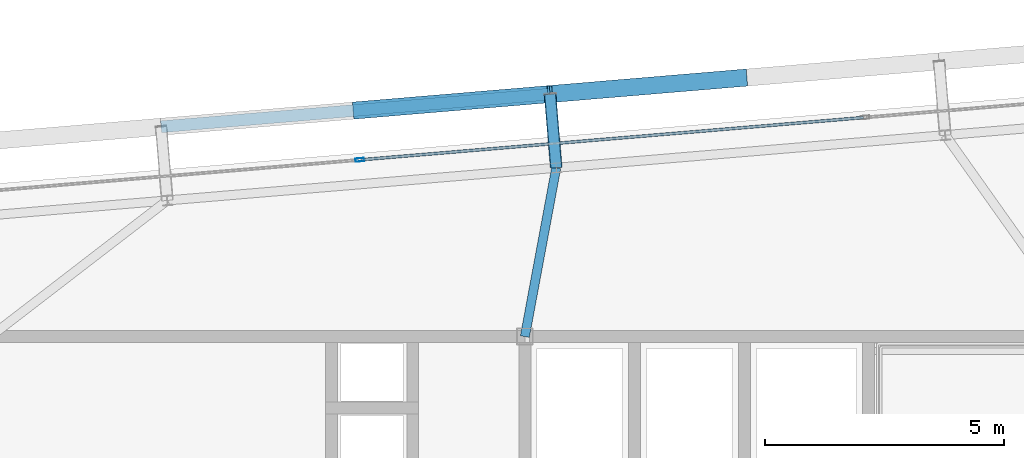
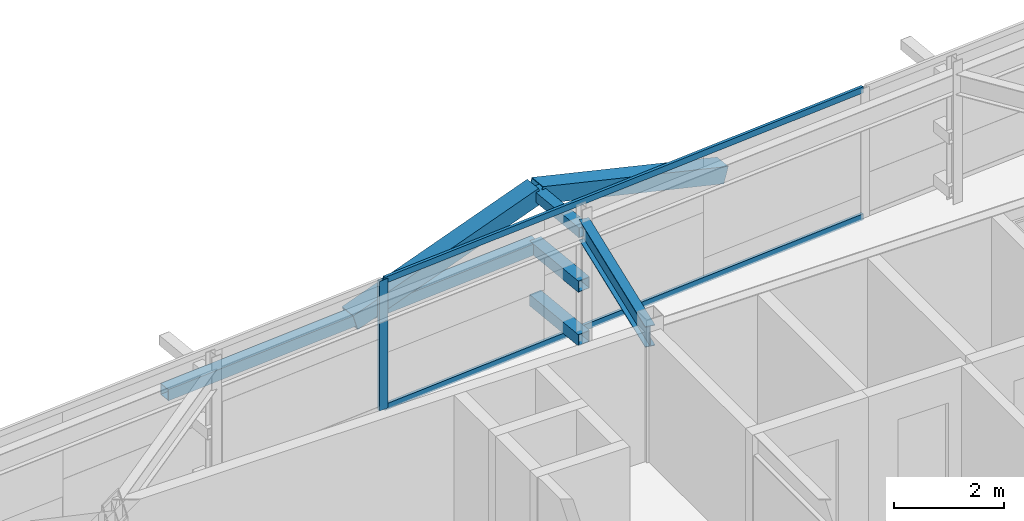
# One storey, part 23 of 39: 9 members, 1 beam, 1 element without a shape of its own.
"""IFC4 building model written with IfcOpenShell, lengths in metres."""

from ifc_helpers import new_model, si_unit, direction, frame, origin, origin_2d, place, context, subcontext, project, spatial, hollow_rectangle, i_section, extrude, source, transform, mapped, material, layer, layer_set, material_profile, profile_set, type_object, element, aggregate, save


model = new_model("IFC4")

# Units and contexts
model_context = context("Model", 3, precision=1e-05, world=origin(), true_north=direction((0.0, 1.0)))
body_context = subcontext(model_context, "Body", "Model", "MODEL_VIEW")
ifc_project = project(units=[si_unit("LENGTHUNIT", "METRE"), si_unit("AREAUNIT", "SQUARE_METRE"), si_unit("VOLUMEUNIT", "CUBIC_METRE"), si_unit("PLANEANGLEUNIT", "RADIAN"), si_unit("MASSUNIT", "GRAM", prefix="KILO")], contexts=[model_context])

# Site, building, storey
site_placement = place(None, origin())
site = spatial("IfcSite", under=ifc_project, at=site_placement, CompositionType="ELEMENT")
building_placement = place(site_placement, origin())
building = spatial("IfcBuilding", under=site, at=building_placement, Name="Taldren Reach Tower", CompositionType="ELEMENT")
storey_placement = place(building_placement, frame((0.0, 0.0, 204.050048828125)))
storey = spatial("IfcBuildingStorey", under=building, at=storey_placement, Name="L62", CompositionType="ELEMENT", Elevation=204.050048828125)

# Members
ifc_material_1 = material(Name="Steel Gr 350 (C350L0)", Category="steel")
ifc_material_profile_1 = material_profile(ifc_material_1, hollow_rectangle(XDim=0.25, YDim=0.25, WallThickness=0.010009765625, at=origin_2d()), Name="250x250x10.0SHS")
ifc_profile_set_1 = profile_set([ifc_material_profile_1], Name="Steel Gr 350 (C350L0)")
member_type_1 = type_object("IfcMemberType", Name="MB-POST250", PredefinedType="POST", material=ifc_profile_set_1)
shared_shape_1 = source(origin(), body_context, "Body", "SweptSolid", [
    extrude(hollow_rectangle(XDim=0.25, YDim=0.25, WallThickness=0.010009765625, at=origin_2d()), origin(), (0.0, 0.0, 1.0), 1.5498046875),
])
for number, where, z_axis, x_axis, name in (
    (1, (39.857666015625, 35.537109375, 0.219970703125), (-0.083645141657, 0.996495604746, 0.0), (-0.996495604746, -0.083645141657, 0.0), "Exoskeleton base diaphragm tie strut B4-N4 L62"),
    (2, (39.857666015625, 35.537109375, 1.405029296875), (-0.083645141657, 0.996495604746, 0.0), (-0.996495604746, -0.083645141657, 0.0), "Exoskeleton mid-tier diaphragm tie B4-N4 L62"),
):
    element("IfcMember", number, at=place(storey_placement, frame(where, z_axis=z_axis, x_axis=x_axis)), inside=storey, type_object=member_type_1, Name=name, PredefinedType="POST", context=body_context, shape_type="MappedRepresentation", body=[
        mapped(shared_shape_1, transform((0.0, 0.0, 0.0), scale=1.0)),
    ])

# Beam
ifc_material_2 = material(Name="Steel Gr 350 (350PLUS)", Category="steel")
ifc_material_profile_2 = material_profile(ifc_material_2, i_section(OverallWidth=0.19091796875, OverallDepth=0.4599609375, WebThickness=0.010009765625, FlangeThickness=0.01611328125, at=origin_2d()), Name="460UB82.1")
ifc_profile_set_2 = profile_set([ifc_material_profile_2], Name="Steel Gr 350 (350PLUS)")
beam_type = type_object("IfcBeamType", Name="BM-UB460A", PredefinedType="BEAM", material=ifc_profile_set_2)
shared_shape_2 = source(origin(), body_context, "Body", "SweptSolid", [
    extrude(i_section(OverallWidth=0.19091796875, OverallDepth=0.4599609375, WebThickness=0.010009765625, FlangeThickness=0.01611328125, at=origin_2d()), origin(), (0.0, 0.0, 1.0), 3.59765625),
])
beam_placement = place(storey_placement, frame((39.199951171875, 32.0, 2.639892578125), z_axis=(0.182813344882, 0.983147639438, 0.0), x_axis=(-0.983147639438, 0.182813344882, 0.0)))
element("IfcBeam", 3, at=beam_placement, inside=storey, type_object=beam_type, Name="Primary floor girder B4-N4 L62", PredefinedType="BEAM", context=body_context, shape_type="MappedRepresentation", body=[
    mapped(shared_shape_2, transform((0.0, 0.0, 0.0), scale=1.0)),
])

# Members
ifc_material_3 = material(Name="Steel Gr 450 (C450L0)", Category="steel")
ifc_material_profile_3 = material_profile(ifc_material_3, hollow_rectangle(XDim=0.219970703125, YDim=0.219970703125, WallThickness=0.00830078125, at=origin_2d()), Name="220x220x8.2SHS")
ifc_profile_set_3 = profile_set([ifc_material_profile_3], Name="Steel Gr 450 (C450L0)")
member_type_2 = type_object("IfcMemberType", Name="MB-TIE219", PredefinedType="STRUT", material=ifc_profile_set_3)
shared_shape_3 = source(origin(), body_context, "Body", "SweptSolid", [
    extrude(hollow_rectangle(XDim=0.219970703125, YDim=0.219970703125, WallThickness=0.00830078125, at=origin_2d()), origin(), (0.0, 0.0, 1.0), 1.5498046875),
])
member_1_placement = place(storey_placement, frame((39.857666015625, 35.537109375, 2.58984375), z_axis=(-0.083645141657, 0.996495604746, 0.0), x_axis=(-0.996495604746, -0.083645141657, 0.0)))
element("IfcMember", 4, at=member_1_placement, inside=storey, type_object=member_type_2, Name="Exoskeleton diaphragm tie strut B4-N4 L62", PredefinedType="STRUT", context=body_context, shape_type="MappedRepresentation", body=[
    mapped(shared_shape_3, transform((0.0, 0.0, 0.0), scale=1.0)),
])
shared_shape_4 = source(origin(), body_context, "Body", "SweptSolid", [
    extrude(hollow_rectangle(XDim=0.25, YDim=0.25, WallThickness=0.010009765625, at=origin_2d()), origin(), (0.0, 0.0, 1.0), 8.18017578125),
])
member_2_placement = place(storey_placement, frame((31.57666015625, 36.39697265625, 1.405029296875), z_axis=(0.996492034688, 0.083687662192, 0.0), x_axis=(-0.083687662192, 0.996492034688, 0.0)))
element("IfcMember", 5, at=member_2_placement, inside=storey, type_object=member_type_1, Name="Exoskeleton mid-height ring chord B4-N3 L62", PredefinedType="POST", context=body_context, shape_type="MappedRepresentation", body=[
    mapped(shared_shape_4, transform((0.0, 0.0, 0.0), scale=1.0)),
])
ifc_material_profile_4 = material_profile(ifc_material_3, hollow_rectangle(XDim=0.360107421875, YDim=0.360107421875, WallThickness=0.0126953125, at=origin_2d()), Name="360x360x12.7SHS")
ifc_profile_set_4 = profile_set([ifc_material_profile_4], Name="Steel Gr 450 (C450L0)")
member_type_3 = type_object("IfcMemberType", Name="MB-EXO356", PredefinedType="BRACE", material=ifc_profile_set_4)
shared_shape_5 = source(origin(), body_context, "Body", "SweptSolid", [
    extrude(hollow_rectangle(XDim=0.360107421875, YDim=0.360107421875, WallThickness=0.0126953125, at=origin_2d()), origin(), (0.0, 0.0, 1.0), 4.25830078125),
])
for number, where, z_axis, x_axis, name in (
    (6, (35.65234375, 36.7392578125, 1.405029296875), (0.957140989668, 0.080382872141, 0.278243993223), (-0.083687662192, 0.996492034688, 0.0), "Exoskeleton Diagrid Brace B4-N3 L62"),
    (7, (43.8037109375, 37.423828125, 1.405029296875), (-0.957140989668, -0.080382872141, 0.278243993223), (0.083687662192, -0.996492034688, 0.0), "Exoskeleton Diagrid Brace B4-N4 L62"),
):
    element("IfcMember", number, at=place(storey_placement, frame(where, z_axis=z_axis, x_axis=x_axis)), inside=storey, type_object=member_type_3, Name=name, PredefinedType="BRACE", context=body_context, shape_type="MappedRepresentation", body=[
        mapped(shared_shape_5, transform((0.0, 0.0, 0.0), scale=1.0)),
    ])

# Curtain wall, members
ifc_material_4 = material(Name="Aluminium and Low-E Glass Unitised System", Category="aluminium")
ifc_layer = layer(ifc_material_4, 0.159912109375)
ifc_layer_set = layer_set([ifc_layer], Name="Aluminium and Low-E Glass Unitised System")
curtain_wall_type = type_object("IfcCurtainWallType", Name="CW-SYS-5", PredefinedType="NOTDEFINED", material=ifc_layer_set)
curtain_wall_placement = place(storey_placement, origin())
curtain_wall = element("IfcCurtainWall", 8, at=curtain_wall_placement, inside=storey, type_object=curtain_wall_type, Name="Unitised curtain wall CW-L62-N", PredefinedType="NOTDEFINED")
ifc_material_5 = material(Name="Anodised Aluminium 6063-T6", Category="aluminium")
ifc_material_profile_5 = material_profile(ifc_material_5, hollow_rectangle(XDim=0.070068359375, YDim=0.179931640625, WallThickness=0.00390625, at=origin_2d()), Name="ALU-180x70x4RHS")
ifc_profile_set_5 = profile_set([ifc_material_profile_5], Name="Anodised Aluminium 6063-T6")
member_type_4 = type_object("IfcMemberType", Name="CW-MUL-180", PredefinedType="MULLION", material=ifc_profile_set_5)
shared_shape_6 = source(origin(), body_context, "Body", "SweptSolid", [
    extrude(hollow_rectangle(XDim=0.070068359375, YDim=0.179931640625, WallThickness=0.00390625, at=origin_2d()), origin(), (0.0, 0.0, 1.0), 2.869873046875),
])
member_3_placement = place(storey_placement, frame((35.739501953125, 35.702880859375, 0.0), z_axis=(0.0, 0.0, 1.0), x_axis=(0.083677875247, -0.99649285657, 0.0)))
member_3 = element("IfcMember", 9, at=member_3_placement, type_object=member_type_4, Name="CW-5 mullion 3", PredefinedType="MULLION", context=body_context, shape_type="MappedRepresentation", body=[
    mapped(shared_shape_6, transform((0.0, 0.0, 0.0), scale=1.0)),
])
ifc_material_profile_6 = material_profile(ifc_material_5, hollow_rectangle(XDim=0.06005859375, YDim=0.135009765625, WallThickness=0.00341796875, at=origin_2d()), Name="ALU-135x60x3.5RHS")
ifc_profile_set_6 = profile_set([ifc_material_profile_6], Name="Anodised Aluminium 6063-T6")
member_type_5 = type_object("IfcMemberType", Name="CW-TRN-150", PredefinedType="USERDEFINED", material=ifc_profile_set_6)
shared_shape_7 = source(origin(), body_context, "Body", "SweptSolid", [
    extrude(hollow_rectangle(XDim=0.06005859375, YDim=0.135009765625, WallThickness=0.00341796875, at=origin_2d()), origin(), (0.0, 0.0, 1.0), 10.55517578125),
])
member_4_placement = place(storey_placement, frame((46.292236328125, 36.589111328125, 0.030029296875), z_axis=(-0.996492274094, -0.083684811468, 0.0), x_axis=(0.083684811468, -0.996492274094, 0.0)))
member_4 = element("IfcMember", 10, at=member_4_placement, type_object=member_type_5, Name="CW-5 transom 2.1", ObjectType="TRANSOM", PredefinedType="USERDEFINED", context=body_context, shape_type="MappedRepresentation", body=[
    mapped(shared_shape_7, transform((0.0, 0.0, 0.0), scale=1.0)),
])
member_5_placement = place(storey_placement, frame((46.292236328125, 36.589111328125, 2.83984375), z_axis=(-0.996492274094, -0.083684811468, 0.0), x_axis=(0.083684811468, -0.996492274094, 0.0)))
member_5 = element("IfcMember", 11, at=member_5_placement, type_object=member_type_5, Name="CW-5 transom 2.2", ObjectType="TRANSOM", PredefinedType="USERDEFINED", context=body_context, shape_type="MappedRepresentation", body=[
    mapped(shared_shape_7, transform((0.0, 0.0, 0.0), scale=1.0)),
])
aggregate(curtain_wall, [member_3, member_4, member_5])

save(model, "model.ifc")
